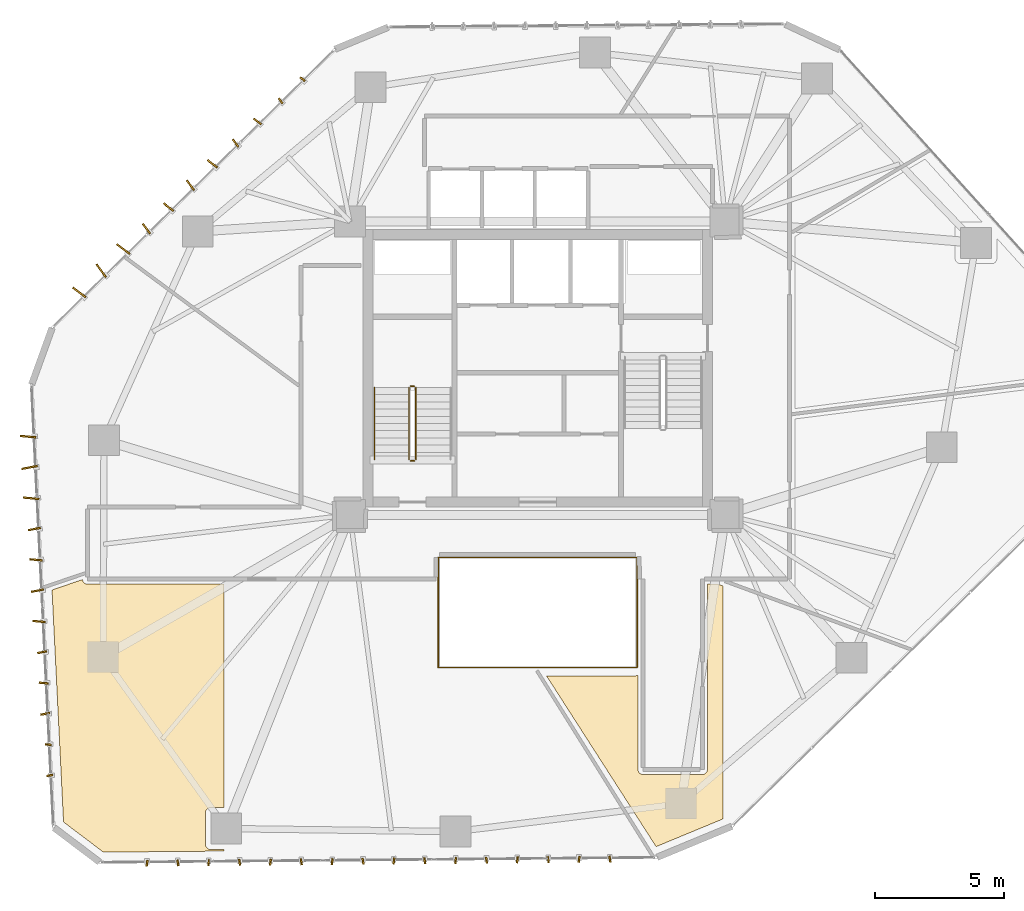
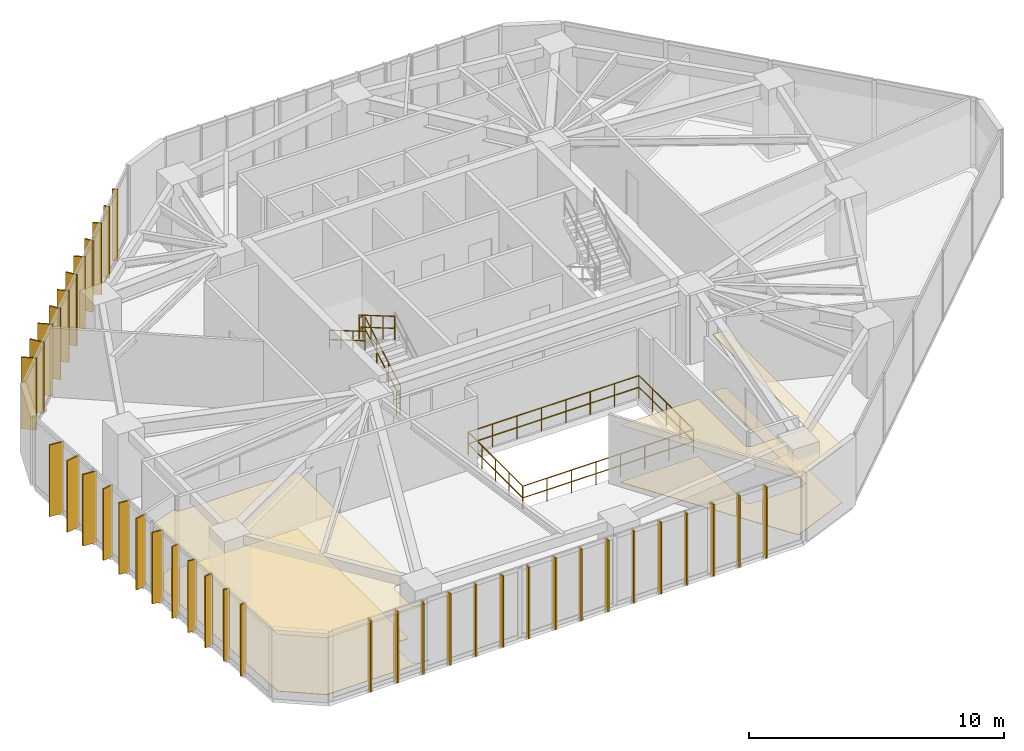
# One storey, part 20 of 21: 39 shading devices, 9 railings, 4 coverings.
"""IFC4 building model written with IfcOpenShell, lengths in metres."""

from ifc_helpers import new_model, si_unit, direction, frame, origin, origin_2d, place, context, subcontext, project, spatial, polyline, rectangle, circle, outline, extrude, source, transform, mapped, material, layer, layer_set, type_object, type_shapes, element, save


model = new_model("IFC4")

# Units and contexts
model_context = context("Model", 3, precision=1e-05, world=origin(), true_north=direction((0.0, 1.0)))
body_context = subcontext(model_context, "Body", "Model", "MODEL_VIEW")
ifc_project = project(units=[si_unit("LENGTHUNIT", "METRE"), si_unit("AREAUNIT", "SQUARE_METRE"), si_unit("VOLUMEUNIT", "CUBIC_METRE"), si_unit("PLANEANGLEUNIT", "RADIAN"), si_unit("MASSUNIT", "GRAM", prefix="KILO")], contexts=[model_context])

# Site, building, storey
site_placement = place(None, origin())
site = spatial("IfcSite", under=ifc_project, at=site_placement, CompositionType="ELEMENT")
building_placement = place(site_placement, origin())
building = spatial("IfcBuilding", under=site, at=building_placement, Name="Talar Marvaseh", CompositionType="ELEMENT")
storey_placement = place(building_placement, frame((0.0, 0.0, 93.0)))
storey = spatial("IfcBuildingStorey", under=building, at=storey_placement, Name="L23", CompositionType="ELEMENT", Elevation=93.0)

# Railings
ifc_material_1 = material(Name="Stainless Steel Grade 316", Category="steel")
railing_type_1 = type_object("IfcRailingType", Name="Brushed Stainless Wall Pitch Handrail 900", PredefinedType="HANDRAIL", material=ifc_material_1)
railing_1_placement = place(storey_placement, frame((19.64990234375, 30.449951171875, 1.963623046875)))
element("IfcRailing", 1, at=railing_1_placement, inside=storey, type_object=railing_type_1, Name="L23 ST-1 stair handrail 2", PredefinedType="HANDRAIL", context=body_context, shape_type="SweptSolid", body=[
    extrude(circle(Radius=0.02392578125, at=origin_2d()), frame((0.0, 0.0, 0.8759765625), z_axis=(0.0, -0.863360870873, 0.504586966384), x_axis=(1.0, 0.0, 0.0)), (0.0, 0.0, 1.0), 3.2431640625),
    extrude(circle(Radius=0.02392578125, at=origin_2d()), frame((0.0, 0.0, 0.42578125), z_axis=(0.0, -0.863360870873, 0.504586966384), x_axis=(1.0, 0.0, 0.0)), (0.0, 0.0, 1.0), 3.2431640625),
    extrude(circle(Radius=0.02099609375, at=origin_2d()), origin(), (0.0, 0.0, 1.0), 0.851806640625),
    extrude(circle(Radius=0.02099609375, at=origin_2d()), frame((0.0, -0.933349609375, 0.54541015625)), (0.0, 0.0, 1.0), 0.851806640625),
    extrude(circle(Radius=0.02099609375, at=origin_2d()), frame((0.0, -1.86669921875, 1.091064453125)), (0.0, 0.0, 1.0), 0.851806640625),
    extrude(circle(Radius=0.02099609375, at=origin_2d()), frame((0.0, -2.800048828125, 1.636474609375)), (0.0, 0.0, 1.0), 0.851806640625),
])
ifc_material_2 = material(Name="Tempered Clear Glass", Category="glass")
railing_type_2 = type_object("IfcRailingType", Name="Interior Atrium Edge Balustrade 1120", PredefinedType="BALUSTRADE", material=ifc_material_2)
railing_2_placement = place(storey_placement, frame((22.1298828125, 19.561279296875, 0.0)))
element("IfcRailing", 2, at=railing_2_placement, inside=storey, type_object=railing_type_2, Name="L23 Internal Daylight Atrium Balustrade 1", PredefinedType="BALUSTRADE", context=body_context, shape_type="SweptSolid", body=[
    extrude(circle(Radius=0.02392578125, at=origin_2d()), frame((0.0, 0.0, 1.09619140625), z_axis=(1.0, 0.0, 0.0), x_axis=(0.0, 1.0, 0.0)), (0.0, 0.0, 1.0), 7.740234375),
    extrude(circle(Radius=0.02392578125, at=origin_2d()), frame((0.0, 0.0, 0.5361328125), z_axis=(1.0, 0.0, 0.0), x_axis=(0.0, 1.0, 0.0)), (0.0, 0.0, 1.0), 7.740234375),
    extrude(circle(Radius=0.02099609375, at=origin_2d()), origin(), (0.0, 0.0, 1.0), 1.072021484375),
    extrude(circle(Radius=0.02099609375, at=origin_2d()), frame((1.105712890625, 0.0, 0.0)), (0.0, 0.0, 1.0), 1.072021484375),
    extrude(circle(Radius=0.02099609375, at=origin_2d()), frame((2.21142578125, 0.0, 0.0)), (0.0, 0.0, 1.0), 1.072021484375),
    extrude(circle(Radius=0.02099609375, at=origin_2d()), frame((3.317138671875, 0.0, 0.0)), (0.0, 0.0, 1.0), 1.072021484375),
    extrude(circle(Radius=0.02099609375, at=origin_2d()), frame((4.423095703125, 0.0, 0.0)), (0.0, 0.0, 1.0), 1.072021484375),
    extrude(circle(Radius=0.02099609375, at=origin_2d()), frame((5.52880859375, 0.0, 0.0)), (0.0, 0.0, 1.0), 1.072021484375),
    extrude(circle(Radius=0.02099609375, at=origin_2d()), frame((6.634521484375, 0.0, 0.0)), (0.0, 0.0, 1.0), 1.072021484375),
    extrude(circle(Radius=0.02099609375, at=origin_2d()), frame((7.740234375, 0.0, 0.0)), (0.0, 0.0, 1.0), 1.072021484375),
])
railing_3_placement = place(storey_placement, frame((29.8701171875, 19.561279296875, 0.0)))
element("IfcRailing", 3, at=railing_3_placement, inside=storey, type_object=railing_type_2, Name="L23 Internal Daylight Atrium Balustrade 2", PredefinedType="BALUSTRADE", context=body_context, shape_type="SweptSolid", body=[
    extrude(circle(Radius=0.02392578125, at=origin_2d()), frame((0.0, 0.0, 1.09619140625), z_axis=(0.0, 1.0, 0.0), x_axis=(-1.0, 0.0, 0.0)), (0.0, 0.0, 1.0), 4.27734375),
    extrude(circle(Radius=0.02392578125, at=origin_2d()), frame((0.0, 0.0, 0.5361328125), z_axis=(0.0, 1.0, 0.0), x_axis=(-1.0, 0.0, 0.0)), (0.0, 0.0, 1.0), 4.27734375),
    extrude(circle(Radius=0.02099609375, at=origin_2d()), origin(), (0.0, 0.0, 1.0), 1.072021484375),
    extrude(circle(Radius=0.02099609375, at=origin_2d()), frame((0.0, 1.0693359375, 0.0)), (0.0, 0.0, 1.0), 1.072021484375),
    extrude(circle(Radius=0.02099609375, at=origin_2d()), frame((0.0, 2.138671875, 0.0)), (0.0, 0.0, 1.0), 1.072021484375),
    extrude(circle(Radius=0.02099609375, at=origin_2d()), frame((0.0, 3.2080078125, 0.0)), (0.0, 0.0, 1.0), 1.072021484375),
    extrude(circle(Radius=0.02099609375, at=origin_2d()), frame((0.0, 4.27734375, 0.0)), (0.0, 0.0, 1.0), 1.072021484375),
])
railing_4_placement = place(storey_placement, frame((29.8701171875, 23.838623046875, 0.0)))
element("IfcRailing", 4, at=railing_4_placement, inside=storey, type_object=railing_type_2, Name="L23 Internal Daylight Atrium Balustrade 3", PredefinedType="BALUSTRADE", context=body_context, shape_type="SweptSolid", body=[
    extrude(circle(Radius=0.02392578125, at=origin_2d()), frame((0.0, 0.0, 1.09619140625), z_axis=(-1.0, 0.0, 0.0), x_axis=(0.0, -1.0, 0.0)), (0.0, 0.0, 1.0), 7.740234375),
    extrude(circle(Radius=0.02392578125, at=origin_2d()), frame((0.0, 0.0, 0.5361328125), z_axis=(-1.0, 0.0, 0.0), x_axis=(0.0, -1.0, 0.0)), (0.0, 0.0, 1.0), 7.740234375),
    extrude(circle(Radius=0.02099609375, at=origin_2d()), origin(), (0.0, 0.0, 1.0), 1.072021484375),
    extrude(circle(Radius=0.02099609375, at=origin_2d()), frame((-1.105712890625, 0.0, 0.0)), (0.0, 0.0, 1.0), 1.072021484375),
    extrude(circle(Radius=0.02099609375, at=origin_2d()), frame((-2.21142578125, 0.0, 0.0)), (0.0, 0.0, 1.0), 1.072021484375),
    extrude(circle(Radius=0.02099609375, at=origin_2d()), frame((-3.317138671875, 0.0, 0.0)), (0.0, 0.0, 1.0), 1.072021484375),
    extrude(circle(Radius=0.02099609375, at=origin_2d()), frame((-4.423095703125, 0.0, 0.0)), (0.0, 0.0, 1.0), 1.072021484375),
    extrude(circle(Radius=0.02099609375, at=origin_2d()), frame((-5.52880859375, 0.0, 0.0)), (0.0, 0.0, 1.0), 1.072021484375),
    extrude(circle(Radius=0.02099609375, at=origin_2d()), frame((-6.634521484375, 0.0, 0.0)), (0.0, 0.0, 1.0), 1.072021484375),
    extrude(circle(Radius=0.02099609375, at=origin_2d()), frame((-7.740234375, 0.0, 0.0)), (0.0, 0.0, 1.0), 1.072021484375),
])
railing_5_placement = place(storey_placement, frame((22.1298828125, 23.838623046875, 0.0)))
element("IfcRailing", 5, at=railing_5_placement, inside=storey, type_object=railing_type_2, Name="L23 Internal Daylight Atrium Balustrade 4", PredefinedType="BALUSTRADE", context=body_context, shape_type="SweptSolid", body=[
    extrude(circle(Radius=0.02392578125, at=origin_2d()), frame((0.0, 0.0, 1.09619140625), z_axis=(0.0, -1.0, 0.0), x_axis=(1.0, 0.0, 0.0)), (0.0, 0.0, 1.0), 4.27734375),
    extrude(circle(Radius=0.02392578125, at=origin_2d()), frame((0.0, 0.0, 0.5361328125), z_axis=(0.0, -1.0, 0.0), x_axis=(1.0, 0.0, 0.0)), (0.0, 0.0, 1.0), 4.27734375),
    extrude(circle(Radius=0.02099609375, at=origin_2d()), origin(), (0.0, 0.0, 1.0), 1.072021484375),
    extrude(circle(Radius=0.02099609375, at=origin_2d()), frame((0.0, -1.0693359375, 0.0)), (0.0, 0.0, 1.0), 1.072021484375),
    extrude(circle(Radius=0.02099609375, at=origin_2d()), frame((0.0, -2.138671875, 0.0)), (0.0, 0.0, 1.0), 1.072021484375),
    extrude(circle(Radius=0.02099609375, at=origin_2d()), frame((0.0, -3.2080078125, 0.0)), (0.0, 0.0, 1.0), 1.072021484375),
    extrude(circle(Radius=0.02099609375, at=origin_2d()), frame((0.0, -4.27734375, 0.0)), (0.0, 0.0, 1.0), 1.072021484375),
])
railing_type_3 = type_object("IfcRailingType", Name="Painted Steel Core Stair Well Guardrail 1150", PredefinedType="GUARDRAIL", material=ifc_material_1)
railing_6_placement = place(storey_placement, frame((21.260009765625, 27.64990234375, 0.16357421875)))
element("IfcRailing", 6, at=railing_6_placement, inside=storey, type_object=railing_type_3, Name="L23 ST-1 stair guard 1", PredefinedType="GUARDRAIL", context=body_context, shape_type="SweptSolid", body=[
    extrude(circle(Radius=0.02392578125, at=origin_2d()), frame((0.0, 0.0, 1.1259765625), z_axis=(0.0, 0.863360870873, 0.504586966384), x_axis=(-1.0, 0.0, 0.0)), (0.0, 0.0, 1.0), 3.2431640625),
    extrude(circle(Radius=0.02392578125, at=origin_2d()), frame((0.0, 0.0, 0.55078125), z_axis=(0.0, 0.863360870873, 0.504586966384), x_axis=(-1.0, 0.0, 0.0)), (0.0, 0.0, 1.0), 3.2431640625),
    extrude(circle(Radius=0.02099609375, at=origin_2d()), origin(), (0.0, 0.0, 1.0), 1.101806640625),
    extrude(circle(Radius=0.02099609375, at=origin_2d()), frame((0.0, 0.933349609375, 0.54541015625)), (0.0, 0.0, 1.0), 1.101806640625),
    extrude(circle(Radius=0.02099609375, at=origin_2d()), frame((0.0, 1.86669921875, 1.091064453125)), (0.0, 0.0, 1.0), 1.101806640625),
    extrude(circle(Radius=0.02099609375, at=origin_2d()), frame((0.0, 2.800048828125, 1.636474609375)), (0.0, 0.0, 1.0), 1.101806640625),
])
railing_7_placement = place(storey_placement, frame((21.2099609375, 30.5, 1.800048828125)))
element("IfcRailing", 7, at=railing_7_placement, inside=storey, type_object=railing_type_3, Name="L23 ST-1 stair guard 2", PredefinedType="GUARDRAIL", context=body_context, shape_type="SweptSolid", body=[
    extrude(circle(Radius=0.02392578125, at=origin_2d()), frame((0.0, 0.0, 1.1259765625), z_axis=(-1.0, 0.0, 0.0), x_axis=(0.0, -1.0, 0.0)), (0.0, 0.0, 1.0), 0.159912109375),
    extrude(circle(Radius=0.02392578125, at=origin_2d()), frame((0.0, 0.0, 0.55078125), z_axis=(-1.0, 0.0, 0.0), x_axis=(0.0, -1.0, 0.0)), (0.0, 0.0, 1.0), 0.159912109375),
    extrude(circle(Radius=0.02099609375, at=origin_2d()), origin(), (0.0, 0.0, 1.0), 1.101806640625),
    extrude(circle(Radius=0.02099609375, at=origin_2d()), frame((-0.159912109375, 0.0, 0.0)), (0.0, 0.0, 1.0), 1.101806640625),
])
railing_8_placement = place(storey_placement, frame((21.0, 30.449951171875, 1.963623046875)))
element("IfcRailing", 8, at=railing_8_placement, inside=storey, type_object=railing_type_3, Name="L23 ST-1 stair guard 3", PredefinedType="GUARDRAIL", context=body_context, shape_type="SweptSolid", body=[
    extrude(circle(Radius=0.02392578125, at=origin_2d()), frame((0.0, 0.0, 1.1259765625), z_axis=(0.0, -0.863360870873, 0.504586966384), x_axis=(1.0, 0.0, 0.0)), (0.0, 0.0, 1.0), 3.2431640625),
    extrude(circle(Radius=0.02392578125, at=origin_2d()), frame((0.0, 0.0, 0.55078125), z_axis=(0.0, -0.863360870873, 0.504586966384), x_axis=(1.0, 0.0, 0.0)), (0.0, 0.0, 1.0), 3.2431640625),
    extrude(circle(Radius=0.02099609375, at=origin_2d()), origin(), (0.0, 0.0, 1.0), 1.101806640625),
    extrude(circle(Radius=0.02099609375, at=origin_2d()), frame((0.0, -0.933349609375, 0.54541015625)), (0.0, 0.0, 1.0), 1.101806640625),
    extrude(circle(Radius=0.02099609375, at=origin_2d()), frame((0.0, -1.86669921875, 1.091064453125)), (0.0, 0.0, 1.0), 1.101806640625),
    extrude(circle(Radius=0.02099609375, at=origin_2d()), frame((0.0, -2.800048828125, 1.636474609375)), (0.0, 0.0, 1.0), 1.101806640625),
])
railing_9_placement = place(storey_placement, frame((21.2099609375, 27.60009765625, 0.0)))
element("IfcRailing", 9, at=railing_9_placement, inside=storey, type_object=railing_type_3, Name="L23 ST-1 stair guard 4", PredefinedType="GUARDRAIL", context=body_context, shape_type="SweptSolid", body=[
    extrude(circle(Radius=0.02392578125, at=origin_2d()), frame((0.0, 0.0, 1.1259765625), z_axis=(-1.0, 0.0, 0.0), x_axis=(0.0, -1.0, 0.0)), (0.0, 0.0, 1.0), 0.159912109375),
    extrude(circle(Radius=0.02392578125, at=origin_2d()), frame((0.0, 0.0, 0.55078125), z_axis=(-1.0, 0.0, 0.0), x_axis=(0.0, -1.0, 0.0)), (0.0, 0.0, 1.0), 0.159912109375),
    extrude(circle(Radius=0.02099609375, at=origin_2d()), origin(), (0.0, 0.0, 1.0), 1.101806640625),
    extrude(circle(Radius=0.02099609375, at=origin_2d()), frame((-0.159912109375, 0.0, 0.0)), (0.0, 0.0, 1.0), 1.101806640625),
])

# Coverings
ifc_material_3 = material(Name="Mineral Fibre Acoustic Ceiling")
ifc_layer_1 = layer(ifc_material_3, 0.02490234375)
ifc_layer_set_1 = layer_set([ifc_layer_1], Name="Mineral Fibre Acoustic Ceiling")
covering_type_1 = type_object("IfcCoveringType", Name="Perforated Mineral Fibre Acoustic Suspended Ceiling", PredefinedType="CEILING", material=ifc_layer_set_1)
covering_1_placement = place(storey_placement, frame((0.0, 0.0, 2.719970703125)))
element("IfcCovering", 10, at=covering_1_placement, inside=storey, type_object=covering_type_1, Name="L23 Exhibition Gallery Acoustic Ceiling", PredefinedType="CEILING", context=body_context, shape_type="SweptSolid", body=[
    extrude(outline(polyline([(8.3037109375, 22.9609375), (8.30859375, 22.94189453125), (8.315185546875, 22.923583984375), (8.323486328125, 22.90576171875), (8.333740234375, 22.888916015625), (8.345458984375, 22.873046875), (8.358642578125, 22.858642578125), (8.373046875, 22.845458984375), (8.388916015625, 22.833740234375), (8.40576171875, 22.823486328125), (8.423583984375, 22.815185546875), (8.44189453125, 22.80859375), (8.4609375, 22.8037109375), (8.48046875, 22.801025390625), (8.5, 22.800048828125), (13.800048828125, 22.800048828125), (13.800048828125, 14.111572265625), (13.27978515625, 14.109619140625), (13.260009765625, 14.108642578125), (13.24072265625, 14.105712890625), (13.2216796875, 14.100830078125), (13.203369140625, 14.09423828125), (13.185791015625, 14.085693359375), (13.1689453125, 14.07568359375), (13.1533203125, 14.06396484375), (13.138671875, 14.05078125), (13.12548828125, 14.0361328125), (13.114013671875, 14.0205078125), (13.10400390625, 14.003662109375), (13.095703125, 13.986083984375), (13.089111328125, 13.967529296875), (13.084228515625, 13.948486328125), (13.081298828125, 13.92919921875), (13.080322265625, 13.90966796875), (13.080322265625, 12.6884765625), (13.081298828125, 12.668701171875), (13.084228515625, 12.6494140625), (13.089111328125, 12.63037109375), (13.095703125, 12.61181640625), (13.10400390625, 12.593994140625), (13.114013671875, 12.577392578125), (13.125732421875, 12.5615234375), (13.138916015625, 12.547119140625), (13.153564453125, 12.53369140625), (13.169189453125, 12.522216796875), (13.18603515625, 12.511962890625), (13.203857421875, 12.503662109375), (13.222412109375, 12.4970703125), (13.241455078125, 12.4921875), (13.2607421875, 12.489501953125), (13.280517578125, 12.48828125), (13.800048828125, 12.48828125), (13.800048828125, 12.42431640625), (9.11181640625, 12.3828125), (7.562255859375, 13.553466796875), (7.11376953125, 22.575927734375), (8.30078125, 22.984619140625), (8.301025390625, 22.98046875), (8.3037109375, 22.9609375)])), origin(), (0.0, 0.0, 1.0), 0.025146484375),
])
covering_2_placement = place(storey_placement, frame((0.0, 0.0, 2.719970703125)))
element("IfcCovering", 11, at=covering_2_placement, inside=storey, type_object=covering_type_1, Name="L23 Hospitality Tea Pantry Acoustic Ceiling", PredefinedType="CEILING", context=body_context, shape_type="SweptSolid", body=[
    extrude(outline(polyline([(29.90087890625, 15.580322265625), (29.90380859375, 15.56103515625), (29.90869140625, 15.5419921875), (29.915283203125, 15.5234375), (29.923583984375, 15.505615234375), (29.93359375, 15.489013671875), (29.9453125, 15.47314453125), (29.95849609375, 15.45849609375), (29.97314453125, 15.4453125), (29.989013671875, 15.43359375), (30.005615234375, 15.423583984375), (30.0234375, 15.415283203125), (30.0419921875, 15.40869140625), (30.06103515625, 15.40380859375), (30.080322265625, 15.40087890625), (30.10009765625, 15.39990234375), (32.39990234375, 15.39990234375), (32.419677734375, 15.40087890625), (32.43896484375, 15.40380859375), (32.4580078125, 15.40869140625), (32.4765625, 15.415283203125), (32.494384765625, 15.423583984375), (32.510986328125, 15.43359375), (32.52685546875, 15.4453125), (32.54150390625, 15.45849609375), (32.5546875, 15.47314453125), (32.56640625, 15.489013671875), (32.576416015625, 15.505615234375), (32.584716796875, 15.5234375), (32.59130859375, 15.5419921875), (32.59619140625, 15.56103515625), (32.59912109375, 15.580322265625), (32.60009765625, 15.60009765625), (32.60009765625, 22.800048828125), (33.021484375, 22.800048828125), (33.199951171875, 22.734619140625), (33.199951171875, 13.672119140625), (30.6044921875, 12.59716796875), (26.34033203125, 19.239990234375), (29.800048828125, 19.239990234375), (29.819580078125, 19.240966796875), (29.839111328125, 19.243896484375), (29.89990234375, 19.256103515625), (29.89990234375, 15.60009765625), (29.90087890625, 15.580322265625)])), origin(), (0.0, 0.0, 1.0), 0.025146484375),
])
ifc_material_4 = material(Name="Porcelain Stoneware Tile", Category="masonry")
ifc_layer_2 = layer(ifc_material_4, 0.02001953125)
ifc_layer_set_2 = layer_set([ifc_layer_2], Name="Porcelain Stoneware Tile")
covering_type_2 = type_object("IfcCoveringType", Name="Polished Porcelain Stoneware Gallery Flooring", PredefinedType="FLOORING", material=ifc_layer_set_2)
covering_3_placement = place(storey_placement, origin())
element("IfcCovering", 12, at=covering_3_placement, inside=storey, type_object=covering_type_2, Name="L23 Exhibition Gallery Flooring", PredefinedType="FLOORING", context=body_context, shape_type="SweptSolid", body=[
    extrude(outline(polyline([(8.3037109375, 22.9609375), (8.30859375, 22.94189453125), (8.315185546875, 22.923583984375), (8.323486328125, 22.90576171875), (8.333740234375, 22.888916015625), (8.345458984375, 22.873046875), (8.358642578125, 22.858642578125), (8.373046875, 22.845458984375), (8.388916015625, 22.833740234375), (8.40576171875, 22.823486328125), (8.423583984375, 22.815185546875), (8.44189453125, 22.80859375), (8.4609375, 22.8037109375), (8.48046875, 22.801025390625), (8.5, 22.800048828125), (13.800048828125, 22.800048828125), (13.800048828125, 14.111572265625), (13.27978515625, 14.109619140625), (13.260009765625, 14.108642578125), (13.24072265625, 14.105712890625), (13.2216796875, 14.100830078125), (13.203369140625, 14.09423828125), (13.185791015625, 14.085693359375), (13.1689453125, 14.07568359375), (13.1533203125, 14.06396484375), (13.138671875, 14.05078125), (13.12548828125, 14.0361328125), (13.114013671875, 14.0205078125), (13.10400390625, 14.003662109375), (13.095703125, 13.986083984375), (13.089111328125, 13.967529296875), (13.084228515625, 13.948486328125), (13.081298828125, 13.92919921875), (13.080322265625, 13.90966796875), (13.080322265625, 12.6884765625), (13.081298828125, 12.668701171875), (13.084228515625, 12.6494140625), (13.089111328125, 12.63037109375), (13.095703125, 12.61181640625), (13.10400390625, 12.593994140625), (13.114013671875, 12.577392578125), (13.125732421875, 12.5615234375), (13.138916015625, 12.547119140625), (13.153564453125, 12.53369140625), (13.169189453125, 12.522216796875), (13.18603515625, 12.511962890625), (13.203857421875, 12.503662109375), (13.222412109375, 12.4970703125), (13.241455078125, 12.4921875), (13.2607421875, 12.489501953125), (13.280517578125, 12.48828125), (13.800048828125, 12.48828125), (13.800048828125, 12.42431640625), (9.11181640625, 12.3828125), (7.562255859375, 13.553466796875), (7.11376953125, 22.575927734375), (8.30078125, 22.984619140625), (8.301025390625, 22.98046875), (8.3037109375, 22.9609375)])), origin(), (0.0, 0.0, 1.0), 0.02001953125),
])
covering_4_placement = place(storey_placement, origin())
element("IfcCovering", 13, at=covering_4_placement, inside=storey, type_object=covering_type_2, Name="L23 Hospitality Tea Pantry Flooring", PredefinedType="FLOORING", context=body_context, shape_type="SweptSolid", body=[
    extrude(outline(polyline([(29.90087890625, 15.580322265625), (29.90380859375, 15.56103515625), (29.90869140625, 15.5419921875), (29.915283203125, 15.5234375), (29.923583984375, 15.505615234375), (29.93359375, 15.489013671875), (29.9453125, 15.47314453125), (29.95849609375, 15.45849609375), (29.97314453125, 15.4453125), (29.989013671875, 15.43359375), (30.005615234375, 15.423583984375), (30.0234375, 15.415283203125), (30.0419921875, 15.40869140625), (30.06103515625, 15.40380859375), (30.080322265625, 15.40087890625), (30.10009765625, 15.39990234375), (32.39990234375, 15.39990234375), (32.419677734375, 15.40087890625), (32.43896484375, 15.40380859375), (32.4580078125, 15.40869140625), (32.4765625, 15.415283203125), (32.494384765625, 15.423583984375), (32.510986328125, 15.43359375), (32.52685546875, 15.4453125), (32.54150390625, 15.45849609375), (32.5546875, 15.47314453125), (32.56640625, 15.489013671875), (32.576416015625, 15.505615234375), (32.584716796875, 15.5234375), (32.59130859375, 15.5419921875), (32.59619140625, 15.56103515625), (32.59912109375, 15.580322265625), (32.60009765625, 15.60009765625), (32.60009765625, 22.800048828125), (33.021484375, 22.800048828125), (33.199951171875, 22.734619140625), (33.199951171875, 13.672119140625), (30.6044921875, 12.59716796875), (26.34033203125, 19.239990234375), (29.800048828125, 19.239990234375), (29.819580078125, 19.240966796875), (29.839111328125, 19.243896484375), (29.89990234375, 19.256103515625), (29.89990234375, 15.60009765625), (29.90087890625, 15.580322265625)])), origin(), (0.0, 0.0, 1.0), 0.02001953125),
])

# Shading devices
ifc_material_5 = material(Name="Anodised Champagne Bronze Aluminium", Category="aluminium")
ifc_layer_3 = layer(ifc_material_5, 0.06494140625)
ifc_layer_set_3 = layer_set([ifc_layer_3], Name="Anodised Champagne Bronze Aluminium")
shading_device_type_1 = type_object("IfcShadingDeviceType", Name="Sawtooth Champagne Bronze Vertical Fin 240", PredefinedType="USERDEFINED", material=ifc_layer_set_3)
shared_shape_1 = source(origin(), body_context, "Body", "SweptSolid", [
    extrude(rectangle(XDim=0.239990234375, YDim=0.06494140625, at=origin_2d()), origin(), (0.0, 0.0, 1.0), 3.429931640625),
])
type_shapes(shading_device_type_1, [shared_shape_1])
for number, where, z_axis, x_axis, name in (
    (14, (7.026611328125, 15.3662109375, -0.1201171875), (0.0, 0.0, 1.0), (-0.982123355677, -0.188238450464, 0.0), "L23 Sawtooth Vertical Solar Fin"),
    (15, (6.967041015625, 16.564697265625, -0.1201171875), (0.0, 0.0, 1.0), (-0.995963111248, 0.089763472712, 0.0), "L23 Sawtooth Vertical Solar Fin"),
    (16, (16.000732421875, 41.593017578125, -0.1201171875), (0.0, 0.0, 1.0), (-0.595804439009, 0.803129547743, 0.0), "L23 Sawtooth Vertical Solar Fin"),
    (17, (16.855712890625, 42.435302734375, -0.1201171875), (0.0, 0.0, 1.0), (-0.794096490407, 0.607791710969, 0.0), "L23 Sawtooth Vertical Solar Fin"),
    (18, (28.80810546875, 12.11279296875, -0.1201171875), (0.0, 0.0, 1.0), (0.147982024709, -0.98899005069, 0.0), "L23 Sawtooth Vertical Solar Fin"),
    (19, (27.608154296875, 12.10205078125, -0.1201171875), (0.0, 0.0, 1.0), (-0.130353150461, -0.991467627391, 0.0), "L23 Sawtooth Vertical Solar Fin"),
    (20, (26.408203125, 12.09130859375, -0.1201171875), (0.0, 0.0, 1.0), (0.147982024709, -0.98899005069, 0.0), "L23 Sawtooth Vertical Solar Fin"),
    (21, (25.208251953125, 12.080810546875, -0.1201171875), (0.0, 0.0, 1.0), (-0.130353150461, -0.991467627391, 0.0), "L23 Sawtooth Vertical Solar Fin"),
    (22, (24.00830078125, 12.070068359375, -0.1201171875), (0.0, 0.0, 1.0), (0.147982024709, -0.98899005069, 0.0), "L23 Sawtooth Vertical Solar Fin"),
    (23, (22.808349609375, 12.059326171875, -0.1201171875), (0.0, 0.0, 1.0), (-0.130353150461, -0.991467627391, 0.0), "L23 Sawtooth Vertical Solar Fin"),
    (24, (21.6083984375, 12.048828125, -0.1201171875), (0.0, 0.0, 1.0), (0.147982024709, -0.98899005069, 0.0), "L23 Sawtooth Vertical Solar Fin"),
    (25, (20.408447265625, 12.0380859375, -0.1201171875), (0.0, 0.0, 1.0), (-0.130353150461, -0.991467627391, 0.0), "L23 Sawtooth Vertical Solar Fin"),
    (26, (19.20849609375, 12.027587890625, -0.1201171875), (0.0, 0.0, 1.0), (0.147982024709, -0.98899005069, 0.0), "L23 Sawtooth Vertical Solar Fin"),
    (27, (18.008544921875, 12.016845703125, -0.1201171875), (0.0, 0.0, 1.0), (-0.130353150461, -0.991467627391, 0.0), "L23 Sawtooth Vertical Solar Fin"),
    (28, (16.80859375, 12.006103515625, -0.1201171875), (0.0, 0.0, 1.0), (0.147982024709, -0.98899005069, 0.0), "L23 Sawtooth Vertical Solar Fin"),
    (29, (15.608642578125, 11.99560546875, -0.1201171875), (0.0, 0.0, 1.0), (-0.130353150461, -0.991467627391, 0.0), "L23 Sawtooth Vertical Solar Fin"),
    (30, (14.40869140625, 11.98486328125, -0.1201171875), (0.0, 0.0, 1.0), (0.147982024709, -0.98899005069, 0.0), "L23 Sawtooth Vertical Solar Fin"),
    (31, (13.208740234375, 11.97412109375, -0.1201171875), (0.0, 0.0, 1.0), (-0.130353150461, -0.991467627391, 0.0), "L23 Sawtooth Vertical Solar Fin"),
    (32, (12.0087890625, 11.96337890625, -0.1201171875), (0.0, 0.0, 1.0), (0.147982024709, -0.98899005069, 0.0), "L23 Sawtooth Vertical Solar Fin"),
    (33, (10.808837890625, 11.952880859375, -0.1201171875), (0.0, 0.0, 1.0), (-0.130353150461, -0.991467627391, 0.0), "L23 Sawtooth Vertical Solar Fin"),
):
    element("IfcShadingDevice", number, at=place(storey_placement, frame(where, z_axis=z_axis, x_axis=x_axis)), inside=storey, type_object=shading_device_type_1, Name=name, ObjectType="FIN", PredefinedType="USERDEFINED", context=body_context, shape_type="MappedRepresentation", body=[
        mapped(shared_shape_1, transform((0.0, 0.0, 0.0), x_axis=(1.0, 0.0, 0.0), y_axis=(0.0, 1.0, 0.0), z_axis=(0.0, 0.0, 1.0), scale=1.0)),
    ])
ifc_layer_4 = layer(ifc_material_5, 0.06494140625)
ifc_layer_set_4 = layer_set([ifc_layer_4], Name="Anodised Champagne Bronze Aluminium")
shading_device_type_2 = type_object("IfcShadingDeviceType", Name="Sawtooth Champagne Bronze Vertical Fin 360", PredefinedType="USERDEFINED", material=ifc_layer_set_4)
shared_shape_2 = source(origin(), body_context, "Body", "SweptSolid", [
    extrude(rectangle(XDim=0.360107421875, YDim=0.06494140625, at=origin_2d()), origin(), (0.0, 0.0, 1.0), 3.429931640625),
])
type_shapes(shading_device_type_2, [shared_shape_2])
for number, where, z_axis, x_axis, name in (
    (34, (6.847412109375, 17.76025390625, -0.1201171875), (0.0, 0.0, 1.0), (-0.982123355677, -0.188238450464, 0.0), "L23 Sawtooth Vertical Solar Fin"),
    (35, (6.787841796875, 18.958740234375, -0.1201171875), (0.0, 0.0, 1.0), (-0.995963111248, 0.089763472712, 0.0), "L23 Sawtooth Vertical Solar Fin"),
    (36, (6.728271484375, 20.1572265625, -0.1201171875), (0.0, 0.0, 1.0), (-0.982123355677, -0.188238450464, 0.0), "L23 Sawtooth Vertical Solar Fin"),
    (37, (14.248779296875, 39.95166015625, -0.1201171875), (0.0, 0.0, 1.0), (-0.595804439009, 0.803129547743, 0.0), "L23 Sawtooth Vertical Solar Fin"),
    (38, (15.103759765625, 40.793701171875, -0.1201171875), (0.0, 0.0, 1.0), (-0.794096490407, 0.607791710969, 0.0), "L23 Sawtooth Vertical Solar Fin"),
):
    element("IfcShadingDevice", number, at=place(storey_placement, frame(where, z_axis=z_axis, x_axis=x_axis)), inside=storey, type_object=shading_device_type_2, Name=name, ObjectType="FIN", PredefinedType="USERDEFINED", context=body_context, shape_type="MappedRepresentation", body=[
        mapped(shared_shape_2, transform((0.0, 0.0, 0.0), x_axis=(1.0, 0.0, 0.0), y_axis=(0.0, 1.0, 0.0), z_axis=(0.0, 0.0, 1.0), scale=1.0)),
    ])
ifc_layer_5 = layer(ifc_material_5, 0.06494140625)
ifc_layer_set_5 = layer_set([ifc_layer_5], Name="Anodised Champagne Bronze Aluminium")
shading_device_type_3 = type_object("IfcShadingDeviceType", Name="Sawtooth Champagne Bronze Vertical Fin 480", PredefinedType="USERDEFINED", material=ifc_layer_set_5)
shared_shape_3 = source(origin(), body_context, "Body", "SweptSolid", [
    extrude(rectangle(XDim=0.47998046875, YDim=0.06494140625, at=origin_2d()), origin(), (0.0, 0.0, 1.0), 3.429931640625),
])
type_shapes(shading_device_type_3, [shared_shape_3])
for number, where, z_axis, x_axis, name in (
    (39, (6.60888671875, 21.352783203125, -0.1201171875), (0.0, 0.0, 1.0), (-0.995963111248, 0.089763472712, 0.0), "L23 Sawtooth Vertical Solar Fin"),
    (40, (6.54931640625, 22.55126953125, -0.1201171875), (0.0, 0.0, 1.0), (-0.982123355677, -0.188238450464, 0.0), "L23 Sawtooth Vertical Solar Fin"),
    (41, (6.489501953125, 23.749755859375, -0.1201171875), (0.0, 0.0, 1.0), (-0.995963111248, 0.089763472712, 0.0), "L23 Sawtooth Vertical Solar Fin"),
    (42, (6.43017578125, 24.9482421875, -0.1201171875), (0.0, 0.0, 1.0), (-0.982123355677, -0.188238450464, 0.0), "L23 Sawtooth Vertical Solar Fin"),
    (43, (10.787109375, 36.6259765625, -0.1201171875), (0.0, 0.0, 1.0), (-0.595804439009, 0.803129547743, 0.0), "L23 Sawtooth Vertical Solar Fin"),
    (44, (11.64208984375, 37.468017578125, -0.1201171875), (0.0, 0.0, 1.0), (-0.794096490407, 0.607791710969, 0.0), "L23 Sawtooth Vertical Solar Fin"),
    (45, (12.496826171875, 38.31005859375, -0.1201171875), (0.0, 0.0, 1.0), (-0.595804439009, 0.803129547743, 0.0), "L23 Sawtooth Vertical Solar Fin"),
    (46, (13.351806640625, 39.15234375, -0.1201171875), (0.0, 0.0, 1.0), (-0.794096490407, 0.607791710969, 0.0), "L23 Sawtooth Vertical Solar Fin"),
):
    element("IfcShadingDevice", number, at=place(storey_placement, frame(where, z_axis=z_axis, x_axis=x_axis)), inside=storey, type_object=shading_device_type_3, Name=name, ObjectType="FIN", PredefinedType="USERDEFINED", context=body_context, shape_type="MappedRepresentation", body=[
        mapped(shared_shape_3, transform((0.0, 0.0, 0.0), x_axis=(1.0, 0.0, 0.0), y_axis=(0.0, 1.0, 0.0), z_axis=(0.0, 0.0, 1.0), scale=1.0)),
    ])
ifc_layer_6 = layer(ifc_material_5, 0.06494140625)
ifc_layer_set_6 = layer_set([ifc_layer_6], Name="Anodised Champagne Bronze Aluminium")
shading_device_type_4 = type_object("IfcShadingDeviceType", Name="Sawtooth Champagne Bronze Vertical Fin 620", PredefinedType="USERDEFINED", material=ifc_layer_set_6)
shared_shape_4 = source(origin(), body_context, "Body", "SweptSolid", [
    extrude(rectangle(XDim=0.6201171875, YDim=0.06494140625, at=origin_2d()), origin(), (0.0, 0.0, 1.0), 3.429931640625),
])
type_shapes(shading_device_type_4, [shared_shape_4])
for number, where, z_axis, x_axis, name in (
    (47, (6.300537109375, 26.143310546875, -0.1201171875), (0.0, 0.0, 1.0), (-0.995963111248, 0.089763472712, 0.0), "L23 Sawtooth Vertical Solar Fin"),
    (48, (6.240966796875, 27.341796875, -0.1201171875), (0.0, 0.0, 1.0), (-0.982123355677, -0.188238450464, 0.0), "L23 Sawtooth Vertical Solar Fin"),
    (49, (6.181396484375, 28.540283203125, -0.1201171875), (0.0, 0.0, 1.0), (-0.995963111248, 0.089763472712, 0.0), "L23 Sawtooth Vertical Solar Fin"),
    (50, (8.17333984375, 34.1494140625, -0.1201171875), (0.0, 0.0, 1.0), (-0.794096490407, 0.607791710969, 0.0), "L23 Sawtooth Vertical Solar Fin"),
    (51, (9.0283203125, 34.99169921875, -0.1201171875), (0.0, 0.0, 1.0), (-0.595804439009, 0.803129547743, 0.0), "L23 Sawtooth Vertical Solar Fin"),
    (52, (9.883056640625, 35.833740234375, -0.1201171875), (0.0, 0.0, 1.0), (-0.794096490407, 0.607791710969, 0.0), "L23 Sawtooth Vertical Solar Fin"),
):
    element("IfcShadingDevice", number, at=place(storey_placement, frame(where, z_axis=z_axis, x_axis=x_axis)), inside=storey, type_object=shading_device_type_4, Name=name, ObjectType="FIN", PredefinedType="USERDEFINED", context=body_context, shape_type="MappedRepresentation", body=[
        mapped(shared_shape_4, transform((0.0, 0.0, 0.0), x_axis=(1.0, 0.0, 0.0), y_axis=(0.0, 1.0, 0.0), z_axis=(0.0, 0.0, 1.0), scale=1.0)),
    ])

save(model, "model.ifc")
